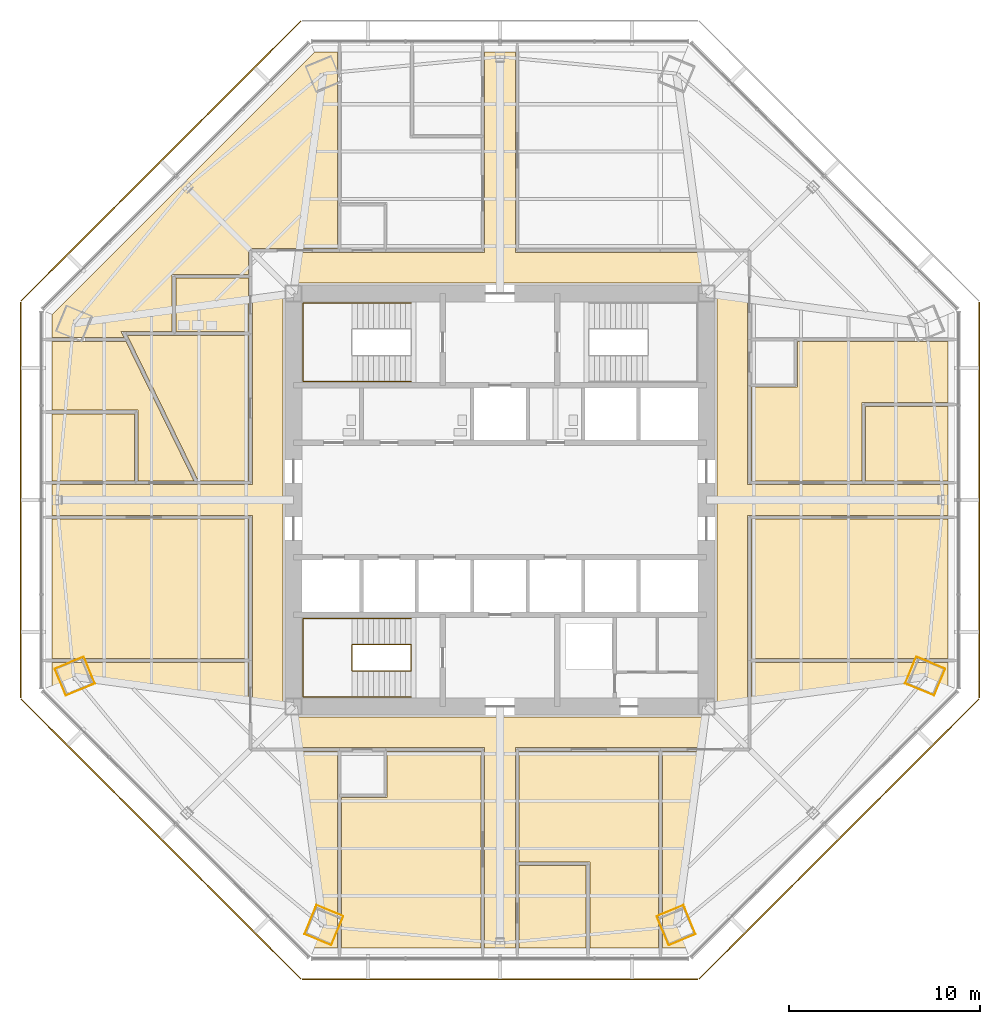
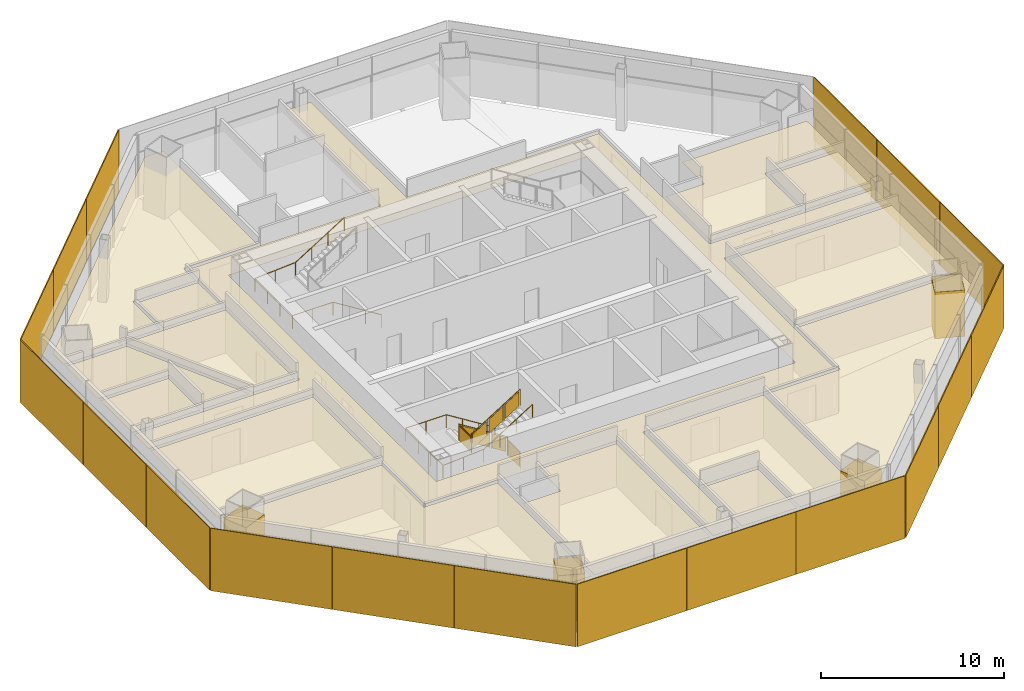
# One storey, part 12 of 14: 19 coverings, 18 shading devices, 3 railings.
"""IFC4 building model written with IfcOpenShell, lengths in metres."""

from ifc_helpers import new_model, si_unit, direction, frame, origin, origin_2d, place, context, subcontext, project, spatial, polyline, rectangle, circle, outline, extrude, source, transform, mapped, material, layer, layer_set, type_object, type_shapes, element, save


model = new_model("IFC4")

# Units and contexts
model_context = context("Model", 3, precision=1e-05, world=origin(), true_north=direction((0.0, 1.0)))
body_context = subcontext(model_context, "Body", "Model", "MODEL_VIEW")
ifc_project = project(units=[si_unit("LENGTHUNIT", "METRE"), si_unit("AREAUNIT", "SQUARE_METRE"), si_unit("VOLUMEUNIT", "CUBIC_METRE"), si_unit("PLANEANGLEUNIT", "RADIAN"), si_unit("MASSUNIT", "GRAM", prefix="KILO")], contexts=[model_context])

# Site, building, storey
site_placement = place(None, origin())
site = spatial("IfcSite", under=ifc_project, at=site_placement, CompositionType="ELEMENT")
building_placement = place(site_placement, origin())
building = spatial("IfcBuilding", under=site, at=building_placement, Name="Mashrafa Tower", CompositionType="ELEMENT")
storey_placement = place(building_placement, frame((0.0, 0.0, 142.800048828125)))
storey = spatial("IfcBuildingStorey", under=building, at=storey_placement, Name="L32", CompositionType="ELEMENT", Elevation=142.800048828125)

# Coverings
ifc_material_1 = material(Name="Gypsum board")
ifc_layer_1 = layer(ifc_material_1, 0.014892578125)
ifc_layer_set_1 = layer_set([ifc_layer_1], Name="Column casing plasterboard 15")
covering_type_1 = type_object("IfcCoveringType", Name="Column casing plasterboard 15", PredefinedType="CLADDING", material=ifc_layer_set_1)
covering_1_placement = place(storey_placement, origin())
element("IfcCovering", 1, at=covering_1_placement, inside=storey, type_object=covering_type_1, Name="Column casing L32-001", PredefinedType="CLADDING", context=body_context, shape_type="SweptSolid", body=[
    extrude(outline(polyline([(-23.296630859375, -8.82177734375), (-23.1640625, -8.766845703125), (-21.763916015625, -8.186767578125), (-21.17822265625, -9.600341796875), (-21.310791015625, -9.6552734375), (-22.711181640625, -10.2353515625), (-23.296630859375, -8.82177734375)]), holes=[polyline([(-21.316650390625, -9.641357421875), (-21.19775390625, -9.59228515625), (-21.77197265625, -8.206298828125), (-23.158203125, -8.78076171875), (-23.277099609375, -8.829833984375), (-22.703125, -10.2158203125), (-21.316650390625, -9.641357421875)])]), origin(), (0.0, 0.0, 1.0), 3.097900390625),
])
covering_2_placement = place(storey_placement, origin())
element("IfcCovering", 2, at=covering_2_placement, inside=storey, type_object=covering_type_1, Name="Column casing L32-002", PredefinedType="CLADDING", context=body_context, shape_type="SweptSolid", body=[
    extrude(outline(polyline([(-10.2353515625, -22.711181640625), (-9.6552734375, -21.310791015625), (-9.600341796875, -21.17822265625), (-8.186767578125, -21.763916015625), (-8.766845703125, -23.1640625), (-8.82177734375, -23.296630859375), (-10.2353515625, -22.711181640625)]), holes=[polyline([(-8.78076171875, -23.158203125), (-8.206298828125, -21.77197265625), (-9.59228515625, -21.19775390625), (-9.641357421875, -21.316650390625), (-10.2158203125, -22.703125), (-8.829833984375, -23.277099609375), (-8.78076171875, -23.158203125)])]), origin(), (0.0, 0.0, 1.0), 3.097900390625),
])
covering_3_placement = place(storey_placement, origin())
element("IfcCovering", 3, at=covering_3_placement, inside=storey, type_object=covering_type_1, Name="Column casing L32-003", PredefinedType="CLADDING", context=body_context, shape_type="SweptSolid", body=[
    extrude(outline(polyline([(8.766845703125, -23.1640625), (8.186767578125, -21.763916015625), (9.600341796875, -21.17822265625), (9.6552734375, -21.310791015625), (10.2353515625, -22.711181640625), (8.82177734375, -23.296630859375), (8.766845703125, -23.1640625)]), holes=[polyline([(10.2158203125, -22.703125), (9.641357421875, -21.316650390625), (9.59228515625, -21.19775390625), (8.206298828125, -21.77197265625), (8.78076171875, -23.158203125), (8.829833984375, -23.277099609375), (10.2158203125, -22.703125)])]), origin(), (0.0, 0.0, 1.0), 3.097900390625),
])
covering_4_placement = place(storey_placement, origin())
element("IfcCovering", 4, at=covering_4_placement, inside=storey, type_object=covering_type_1, Name="Column casing L32-004", PredefinedType="CLADDING", context=body_context, shape_type="SweptSolid", body=[
    extrude(outline(polyline([(21.310791015625, -9.6552734375), (21.17822265625, -9.600341796875), (21.763916015625, -8.186767578125), (23.1640625, -8.766845703125), (23.296630859375, -8.82177734375), (22.711181640625, -10.2353515625), (21.310791015625, -9.6552734375)]), holes=[polyline([(23.277099609375, -8.829833984375), (23.158203125, -8.78076171875), (21.77197265625, -8.206298828125), (21.19775390625, -9.59228515625), (21.316650390625, -9.641357421875), (22.703125, -10.2158203125), (23.277099609375, -8.829833984375)])]), origin(), (0.0, 0.0, 1.0), 3.097900390625),
])

# Railings
ifc_material_2 = material(Name="Steel guard with glass infill", Category="steel")
railing_type_1 = type_object("IfcRailingType", Name="Stair guard 1100", PredefinedType="GUARDRAIL", material=ifc_material_2)
railing_1_placement = place(storey_placement, frame((-4.64990234375, -8.949951171875, 0.0)))
element("IfcRailing", 5, at=railing_1_placement, inside=storey, type_object=railing_type_1, Name="Stair S3 guard L32", PredefinedType="GUARDRAIL", context=body_context, shape_type="SweptSolid", body=[
    extrude(circle(Radius=0.02392578125, at=origin_2d()), frame((0.0, 0.0, 1.076171875), z_axis=(0.0, 1.0, 0.0), x_axis=(-1.0, 0.0, 0.0)), (0.0, 0.0, 1.0), 1.39990234375),
    extrude(circle(Radius=0.02392578125, at=origin_2d()), frame((0.0, 1.39990234375, 1.076171875), z_axis=(0.0, 0.0, 1.0), x_axis=(1.0, 0.0, 0.0)), (0.0, 0.0, 1.0), 0.175048828125),
    extrude(circle(Radius=0.02392578125, at=origin_2d()), frame((0.0, 1.39990234375, 1.2509765625), z_axis=(-0.848028513186, 0.0, 0.529950602248), x_axis=(0.0, -1.0, 0.0)), (0.0, 0.0, 1.0), 3.632080078125),
    extrude(circle(Radius=0.02392578125, at=origin_2d()), frame((-3.080078125, 1.39990234375, 3.17578125), z_axis=(0.0, -1.0, 0.0), x_axis=(1.0, 0.0, 0.0)), (0.0, 0.0, 1.0), 1.39990234375),
    extrude(circle(Radius=0.02392578125, at=origin_2d()), frame((-3.080078125, 0.0, 3.17578125), z_axis=(0.0, 0.0, 1.0), x_axis=(1.0, 0.0, 0.0)), (0.0, 0.0, 1.0), 0.175048828125),
    extrude(circle(Radius=0.02392578125, at=origin_2d()), frame((-3.080078125, 0.0, 3.35107421875), z_axis=(0.847998304005, 0.0, 0.529998940003), x_axis=(0.0, 1.0, 0.0)), (0.0, 0.0, 1.0), 3.632080078125),
    extrude(circle(Radius=0.02099609375, at=origin_2d()), origin(), (0.0, 0.0, 1.0), 1.052001953125),
    extrude(circle(Radius=0.02099609375, at=origin_2d()), frame((0.0, 1.39990234375, 0.0)), (0.0, 0.0, 1.0), 1.052001953125),
    extrude(circle(Radius=0.02099609375, at=origin_2d()), frame((0.0, 1.39990234375, 0.175048828125)), (0.0, 0.0, 1.0), 1.052001953125),
    extrude(circle(Radius=0.02099609375, at=origin_2d()), frame((-1.026611328125, 1.39990234375, 0.816650390625)), (0.0, 0.0, 1.0), 1.052001953125),
    extrude(circle(Radius=0.02099609375, at=origin_2d()), frame((-2.053466796875, 1.39990234375, 1.458251953125)), (0.0, 0.0, 1.0), 1.052001953125),
    extrude(circle(Radius=0.02099609375, at=origin_2d()), frame((-3.080078125, 1.39990234375, 2.099853515625)), (0.0, 0.0, 1.0), 1.052001953125),
    extrude(circle(Radius=0.02099609375, at=origin_2d()), frame((-3.080078125, 0.0, 2.099853515625)), (0.0, 0.0, 1.0), 1.052001953125),
    extrude(circle(Radius=0.02099609375, at=origin_2d()), frame((-3.080078125, 0.0, 2.27490234375)), (0.0, 0.0, 1.0), 1.052001953125),
    extrude(circle(Radius=0.02099609375, at=origin_2d()), frame((-2.053466796875, 0.0, 2.91650390625)), (0.0, 0.0, 1.0), 1.052001953125),
    extrude(circle(Radius=0.02099609375, at=origin_2d()), frame((-1.026611328125, 0.0, 3.558349609375)), (0.0, 0.0, 1.0), 1.052001953125),
    extrude(circle(Radius=0.02099609375, at=origin_2d()), frame((0.0, 0.0, 4.199951171875)), (0.0, 0.0, 1.0), 1.052001953125),
    extrude(outline(polyline([(0.071044921875, 0.050048828125), (1.328857421875, 0.050048828125), (1.328857421875, 1.001953125), (0.071044921875, 1.001953125), (0.071044921875, 0.050048828125)])), frame((0.006103515625, 0.0, 0.0), z_axis=(1.0, 0.0, 0.0), x_axis=(0.0, 1.0, 0.0)), (0.0, 0.0, 1.0), 0.011962890625),
    extrude(outline(polyline([(0.071044921875, 0.094482421875), (0.955810546875, 0.647216796875), (0.955810546875, 1.59912109375), (0.071044921875, 1.04638671875), (0.071044921875, 0.094482421875)])), frame((0.0, 1.406005859375, 0.175048828125), z_axis=(0.0, 1.0, 0.0), x_axis=(-1.0, 0.0, 0.0)), (0.0, 0.0, 1.0), 0.011962890625),
    extrude(outline(polyline([(1.09765625, 0.736083984375), (1.982421875, 1.288818359375), (1.982421875, 2.24072265625), (1.09765625, 1.68798828125), (1.09765625, 0.736083984375)])), frame((0.0, 1.406005859375, 0.175048828125), z_axis=(0.0, 1.0, 0.0), x_axis=(-1.0, 0.0, 0.0)), (0.0, 0.0, 1.0), 0.011962890625),
    extrude(outline(polyline([(2.124267578125, 1.377685546875), (3.009033203125, 1.930419921875), (3.009033203125, 2.88232421875), (2.124267578125, 2.32958984375), (2.124267578125, 1.377685546875)])), frame((0.0, 1.406005859375, 0.175048828125), z_axis=(0.0, 1.0, 0.0), x_axis=(-1.0, 0.0, 0.0)), (0.0, 0.0, 1.0), 0.011962890625),
    extrude(outline(polyline([(0.071044921875, 0.050048828125), (1.328857421875, 0.050048828125), (1.328857421875, 1.001953125), (0.071044921875, 1.001953125), (0.071044921875, 0.050048828125)])), frame((-3.086181640625, 1.39990234375, 2.099853515625), z_axis=(-1.0, 0.0, 0.0), x_axis=(0.0, -1.0, 0.0)), (0.0, 0.0, 1.0), 0.011962890625),
    extrude(outline(polyline([(0.071044921875, 0.094482421875), (0.955810546875, 0.647216796875), (0.955810546875, 1.599365234375), (0.071044921875, 1.04638671875), (0.071044921875, 0.094482421875)])), frame((-3.080078125, -0.006103515625, 2.27490234375), z_axis=(0.0, -1.0, 0.0), x_axis=(1.0, 0.0, 0.0)), (0.0, 0.0, 1.0), 0.011962890625),
    extrude(outline(polyline([(1.09765625, 0.736083984375), (1.982421875, 1.2890625), (1.982421875, 2.240966796875), (1.09765625, 1.68798828125), (1.09765625, 0.736083984375)])), frame((-3.080078125, -0.006103515625, 2.27490234375), z_axis=(0.0, -1.0, 0.0), x_axis=(1.0, 0.0, 0.0)), (0.0, 0.0, 1.0), 0.011962890625),
    extrude(outline(polyline([(2.124267578125, 1.377685546875), (3.009033203125, 1.9306640625), (3.009033203125, 2.882568359375), (2.124267578125, 2.329833984375), (2.124267578125, 1.377685546875)])), frame((-3.080078125, -0.006103515625, 2.27490234375), z_axis=(0.0, -1.0, 0.0), x_axis=(1.0, 0.0, 0.0)), (0.0, 0.0, 1.0), 0.011962890625),
])
ifc_material_3 = material(Name="Steel", Category="steel")
railing_type_2 = type_object("IfcRailingType", Name="Stair handrail 900", PredefinedType="HANDRAIL", material=ifc_material_3)
railing_2_placement = place(storey_placement, frame((-4.64990234375, 6.199951171875, 0.175048828125)))
element("IfcRailing", 6, at=railing_2_placement, inside=storey, type_object=railing_type_2, Name="Stair S1 handrail L32", PredefinedType="HANDRAIL", context=body_context, shape_type="SweptSolid", body=[
    extrude(circle(Radius=0.02392578125, at=origin_2d()), frame((0.0, 0.0, 0.8759765625), z_axis=(-0.848028513186, 0.0, 0.529950602248), x_axis=(0.0, -1.0, 0.0)), (0.0, 0.0, 1.0), 3.632080078125),
    extrude(circle(Radius=0.02392578125, at=origin_2d()), frame((-3.080078125, 0.0, 2.80078125), z_axis=(-1.0, 0.0, 0.0), x_axis=(0.0, -1.0, 0.0)), (0.0, 0.0, 1.0), 2.570068359375),
    extrude(circle(Radius=0.02392578125, at=origin_2d()), frame((-5.650146484375, 0.0, 2.80078125), z_axis=(0.0, 1.0, 0.0), x_axis=(-1.0, 0.0, 0.0)), (0.0, 0.0, 1.0), 4.10009765625),
    extrude(circle(Radius=0.02392578125, at=origin_2d()), frame((-5.650146484375, 4.10009765625, 2.80078125), z_axis=(0.997688514158, 0.0, 0.067953136188), x_axis=(0.0, 1.0, 0.0)), (0.0, 0.0, 1.0), 2.575927734375),
    extrude(circle(Radius=0.02392578125, at=origin_2d()), frame((-3.080078125, 4.10009765625, 2.9755859375), z_axis=(0.847998304005, 0.0, 0.529998940003), x_axis=(0.0, 1.0, 0.0)), (0.0, 0.0, 1.0), 3.632080078125),
    extrude(circle(Radius=0.02099609375, at=origin_2d()), origin(), (0.0, 0.0, 1.0), 0.851806640625),
    extrude(circle(Radius=0.02099609375, at=origin_2d()), frame((-1.026611328125, 0.0, 0.6416015625)), (0.0, 0.0, 1.0), 0.851806640625),
    extrude(circle(Radius=0.02099609375, at=origin_2d()), frame((-2.053466796875, 0.0, 1.283203125)), (0.0, 0.0, 1.0), 0.851806640625),
    extrude(circle(Radius=0.02099609375, at=origin_2d()), frame((-3.080078125, 0.0, 1.9248046875)), (0.0, 0.0, 1.0), 0.851806640625),
    extrude(circle(Radius=0.02099609375, at=origin_2d()), frame((-4.365234375, 0.0, 1.9248046875)), (0.0, 0.0, 1.0), 0.851806640625),
    extrude(circle(Radius=0.02099609375, at=origin_2d()), frame((-5.650146484375, 0.0, 1.9248046875)), (0.0, 0.0, 1.0), 0.851806640625),
    extrude(circle(Radius=0.02099609375, at=origin_2d()), frame((-5.650146484375, 1.36669921875, 1.9248046875)), (0.0, 0.0, 1.0), 0.851806640625),
    extrude(circle(Radius=0.02099609375, at=origin_2d()), frame((-5.650146484375, 2.7333984375, 1.9248046875)), (0.0, 0.0, 1.0), 0.851806640625),
    extrude(circle(Radius=0.02099609375, at=origin_2d()), frame((-5.650146484375, 4.10009765625, 1.9248046875)), (0.0, 0.0, 1.0), 0.851806640625),
    extrude(circle(Radius=0.02099609375, at=origin_2d()), frame((-4.365234375, 4.10009765625, 2.01220703125)), (0.0, 0.0, 1.0), 0.851806640625),
    extrude(circle(Radius=0.02099609375, at=origin_2d()), frame((-3.080078125, 4.10009765625, 2.099853515625)), (0.0, 0.0, 1.0), 0.851806640625),
    extrude(circle(Radius=0.02099609375, at=origin_2d()), frame((-2.053466796875, 4.10009765625, 2.741455078125)), (0.0, 0.0, 1.0), 0.851806640625),
    extrude(circle(Radius=0.02099609375, at=origin_2d()), frame((-1.026611328125, 4.10009765625, 3.38330078125)), (0.0, 0.0, 1.0), 0.851806640625),
    extrude(circle(Radius=0.02099609375, at=origin_2d()), frame((0.0, 4.10009765625, 4.02490234375)), (0.0, 0.0, 1.0), 0.851806640625),
])
railing_3_placement = place(storey_placement, frame((-4.64990234375, -6.199951171875, 0.175048828125)))
element("IfcRailing", 7, at=railing_3_placement, inside=storey, type_object=railing_type_2, Name="Stair S3 handrail L32", PredefinedType="HANDRAIL", context=body_context, shape_type="SweptSolid", body=[
    extrude(circle(Radius=0.02392578125, at=origin_2d()), frame((0.0, 0.0, 0.8759765625), z_axis=(-0.848028513186, 0.0, 0.529950602248), x_axis=(0.0, -1.0, 0.0)), (0.0, 0.0, 1.0), 3.632080078125),
    extrude(circle(Radius=0.02392578125, at=origin_2d()), frame((-3.080078125, 0.0, 2.80078125), z_axis=(-1.0, 0.0, 0.0), x_axis=(0.0, -1.0, 0.0)), (0.0, 0.0, 1.0), 2.570068359375),
    extrude(circle(Radius=0.02392578125, at=origin_2d()), frame((-5.650146484375, 0.0, 2.80078125), z_axis=(0.0, -1.0, 0.0), x_axis=(1.0, 0.0, 0.0)), (0.0, 0.0, 1.0), 4.10009765625),
    extrude(circle(Radius=0.02392578125, at=origin_2d()), frame((-5.650146484375, -4.10009765625, 2.80078125), z_axis=(0.997688514158, 0.0, 0.067953136188), x_axis=(0.0, 1.0, 0.0)), (0.0, 0.0, 1.0), 2.575927734375),
    extrude(circle(Radius=0.02392578125, at=origin_2d()), frame((-3.080078125, -4.10009765625, 2.9755859375), z_axis=(0.847998304005, 0.0, 0.529998940003), x_axis=(0.0, 1.0, 0.0)), (0.0, 0.0, 1.0), 3.632080078125),
    extrude(circle(Radius=0.02099609375, at=origin_2d()), origin(), (0.0, 0.0, 1.0), 0.851806640625),
    extrude(circle(Radius=0.02099609375, at=origin_2d()), frame((-1.026611328125, 0.0, 0.6416015625)), (0.0, 0.0, 1.0), 0.851806640625),
    extrude(circle(Radius=0.02099609375, at=origin_2d()), frame((-2.053466796875, 0.0, 1.283203125)), (0.0, 0.0, 1.0), 0.851806640625),
    extrude(circle(Radius=0.02099609375, at=origin_2d()), frame((-3.080078125, 0.0, 1.9248046875)), (0.0, 0.0, 1.0), 0.851806640625),
    extrude(circle(Radius=0.02099609375, at=origin_2d()), frame((-4.365234375, 0.0, 1.9248046875)), (0.0, 0.0, 1.0), 0.851806640625),
    extrude(circle(Radius=0.02099609375, at=origin_2d()), frame((-5.650146484375, 0.0, 1.9248046875)), (0.0, 0.0, 1.0), 0.851806640625),
    extrude(circle(Radius=0.02099609375, at=origin_2d()), frame((-5.650146484375, -1.36669921875, 1.9248046875)), (0.0, 0.0, 1.0), 0.851806640625),
    extrude(circle(Radius=0.02099609375, at=origin_2d()), frame((-5.650146484375, -2.7333984375, 1.9248046875)), (0.0, 0.0, 1.0), 0.851806640625),
    extrude(circle(Radius=0.02099609375, at=origin_2d()), frame((-5.650146484375, -4.10009765625, 1.9248046875)), (0.0, 0.0, 1.0), 0.851806640625),
    extrude(circle(Radius=0.02099609375, at=origin_2d()), frame((-4.365234375, -4.10009765625, 2.01220703125)), (0.0, 0.0, 1.0), 0.851806640625),
    extrude(circle(Radius=0.02099609375, at=origin_2d()), frame((-3.080078125, -4.10009765625, 2.099853515625)), (0.0, 0.0, 1.0), 0.851806640625),
    extrude(circle(Radius=0.02099609375, at=origin_2d()), frame((-2.053466796875, -4.10009765625, 2.741455078125)), (0.0, 0.0, 1.0), 0.851806640625),
    extrude(circle(Radius=0.02099609375, at=origin_2d()), frame((-1.026611328125, -4.10009765625, 3.38330078125)), (0.0, 0.0, 1.0), 0.851806640625),
    extrude(circle(Radius=0.02099609375, at=origin_2d()), frame((0.0, -4.10009765625, 4.02490234375)), (0.0, 0.0, 1.0), 0.851806640625),
])

# Coverings
ifc_material_4 = material(Name="Mineral fibre tile on suspension grid")
ifc_layer_2 = layer(ifc_material_4, 0.014892578125)
ifc_layer_set_2 = layer_set([ifc_layer_2], Name="Suspended ceiling mineral tile 15")
covering_type_2 = type_object("IfcCoveringType", Name="Suspended ceiling mineral tile 15", PredefinedType="CEILING", material=ifc_layer_set_2)
covering_5_placement = place(storey_placement, frame((0.0, 0.0, 2.89990234375)))
element("IfcCovering", 8, at=covering_5_placement, inside=storey, type_object=covering_type_2, Name="Ceiling Office Corridor L32", PredefinedType="CEILING", context=body_context, shape_type="SweptSolid", body=[
    extrude(outline(polyline([(-12.949951171875, -12.949951171875), (-12.949951171875, -0.800048828125), (-23.425048828125, -0.800048828125), (-23.425048828125, 0.800048828125), (-12.949951171875, 0.800048828125), (-12.949951171875, 12.949951171875), (-0.800048828125, 12.949951171875), (-0.800048828125, 23.425048828125), (0.800048828125, 23.425048828125), (0.800048828125, 12.949951171875), (12.949951171875, 12.949951171875), (12.949951171875, 0.800048828125), (23.425048828125, 0.800048828125), (23.425048828125, -0.800048828125), (12.949951171875, -0.800048828125), (12.949951171875, -12.949951171875), (0.800048828125, -12.949951171875), (0.800048828125, -23.425048828125), (-0.800048828125, -23.425048828125), (-0.800048828125, -12.949951171875), (-12.949951171875, -12.949951171875)]), holes=[polyline([(11.35009765625, 11.35009765625), (-11.35009765625, 11.35009765625), (-11.35009765625, -11.35009765625), (11.35009765625, -11.35009765625), (11.35009765625, 11.35009765625)])]), origin(), (0.0, 0.0, 1.0), 0.01513671875),
])
covering_6_placement = place(storey_placement, frame((0.0, 0.0, 2.89990234375)))
element("IfcCovering", 9, at=covering_6_placement, inside=storey, type_object=covering_type_2, Name="Ceiling Musallah Prayer Room 32", PredefinedType="CEILING", context=body_context, shape_type="SweptSolid", body=[
    extrude(outline(polyline([(-15.783203125, 1.0), (-19.489990234375, 8.60009765625), (-13.14990234375, 8.60009765625), (-13.14990234375, 1.0), (-15.783203125, 1.0)])), origin(), (0.0, 0.0, 1.0), 0.01513671875),
])
covering_7_placement = place(storey_placement, frame((0.0, 0.0, 2.89990234375)))
element("IfcCovering", 10, at=covering_7_placement, inside=storey, type_object=covering_type_2, Name="Ceiling Ablution Room L32", PredefinedType="CEILING", context=body_context, shape_type="SweptSolid", body=[
    extrude(outline(polyline([(-16.949951171875, 8.800048828125), (-16.949951171875, 11.60009765625), (-13.14990234375, 11.60009765625), (-13.14990234375, 8.800048828125), (-16.949951171875, 8.800048828125)])), origin(), (0.0, 0.0, 1.0), 0.01513671875),
])
covering_8_placement = place(storey_placement, frame((0.0, 0.0, 2.89990234375)))
element("IfcCovering", 11, at=covering_8_placement, inside=storey, type_object=covering_type_2, Name="Ceiling Meeting Room 32-E", PredefinedType="CEILING", context=body_context, shape_type="SweptSolid", body=[
    extrude(outline(polyline([(19.125, 4.89990234375), (23.425048828125, 4.89990234375), (23.425048828125, 1.0), (19.125, 1.0), (19.125, 4.89990234375)])), origin(), (0.0, 0.0, 1.0), 0.01513671875),
])
covering_9_placement = place(storey_placement, frame((0.0, 0.0, 2.89990234375)))
element("IfcCovering", 12, at=covering_9_placement, inside=storey, type_object=covering_type_2, Name="Ceiling Meeting Room 32-S", PredefinedType="CEILING", context=body_context, shape_type="SweptSolid", body=[
    extrude(outline(polyline([(1.0, -19.125), (4.5, -19.125), (4.5, -23.425048828125), (1.0, -23.425048828125), (1.0, -19.125)])), origin(), (0.0, 0.0, 1.0), 0.01513671875),
])
covering_10_placement = place(storey_placement, frame((0.0, 0.0, 2.89990234375)))
element("IfcCovering", 13, at=covering_10_placement, inside=storey, type_object=covering_type_2, Name="Ceiling Meeting Room 32-W", PredefinedType="CEILING", context=body_context, shape_type="SweptSolid", body=[
    extrude(outline(polyline([(-19.125, 4.5), (-19.125, 1.0), (-23.425048828125, 1.0), (-23.425048828125, 4.5), (-19.125, 4.5)])), origin(), (0.0, 0.0, 1.0), 0.01513671875),
])
covering_11_placement = place(storey_placement, frame((0.0, 0.0, 2.89990234375)))
element("IfcCovering", 14, at=covering_11_placement, inside=storey, type_object=covering_type_2, Name="Ceiling Office Suite 32-NE21", PredefinedType="CEILING", context=body_context, shape_type="SweptSolid", body=[
    extrude(outline(polyline([(15.550048828125, 8.300048828125), (23.425048828125, 8.300048828125), (23.425048828125, 5.10009765625), (18.925048828125, 5.10009765625), (18.925048828125, 1.0), (13.14990234375, 1.0), (13.14990234375, 5.89990234375), (15.550048828125, 5.89990234375), (15.550048828125, 8.300048828125)])), origin(), (0.0, 0.0, 1.0), 0.01513671875),
])
covering_12_placement = place(storey_placement, frame((0.0, 0.0, 2.89990234375)))
element("IfcCovering", 15, at=covering_12_placement, inside=storey, type_object=covering_type_2, Name="Ceiling Office Suite 32-NW21", PredefinedType="CEILING", context=body_context, shape_type="SweptSolid", body=[
    extrude(outline(polyline([(-23.425048828125, 4.699951171875), (-23.425048828125, 8.300048828125), (-19.566162109375, 8.300048828125), (-16.005615234375, 1.0), (-18.925048828125, 1.0), (-18.925048828125, 4.699951171875), (-23.425048828125, 4.699951171875)])), origin(), (0.0, 0.0, 1.0), 0.01513671875),
])
covering_13_placement = place(storey_placement, frame((0.0, 0.0, 2.89990234375)))
element("IfcCovering", 16, at=covering_13_placement, inside=storey, type_object=covering_type_2, Name="Ceiling Office Suite 32-NW22", PredefinedType="CEILING", context=body_context, shape_type="SweptSolid", body=[
    extrude(outline(polyline([(-19.663818359375, 8.5), (-23.425048828125, 8.5), (-23.425048828125, 9.702880859375), (-9.702880859375, 23.425048828125), (-8.5, 23.425048828125), (-8.5, 13.14990234375), (-13.14990234375, 13.14990234375), (-13.14990234375, 11.800048828125), (-17.14990234375, 11.800048828125), (-17.14990234375, 8.800048828125), (-19.81005859375, 8.800048828125), (-19.663818359375, 8.5)])), origin(), (0.0, 0.0, 1.0), 0.01513671875),
])
covering_14_placement = place(storey_placement, frame((0.0, 0.0, 2.89990234375)))
element("IfcCovering", 17, at=covering_14_placement, inside=storey, type_object=covering_type_2, Name="Ceiling Office Suite 32-SW12", PredefinedType="CEILING", context=body_context, shape_type="SweptSolid", body=[
    extrude(outline(polyline([(-1.0, -23.425048828125), (-8.300048828125, -23.425048828125), (-8.300048828125, -15.550048828125), (-5.89990234375, -15.550048828125), (-5.89990234375, -13.14990234375), (-1.0, -13.14990234375), (-1.0, -23.425048828125)])), origin(), (0.0, 0.0, 1.0), 0.01513671875),
])
covering_15_placement = place(storey_placement, frame((0.0, 0.0, 2.89990234375)))
element("IfcCovering", 18, at=covering_15_placement, inside=storey, type_object=covering_type_2, Name="Ceiling Office Suite 32-SW21", PredefinedType="CEILING", context=body_context, shape_type="SweptSolid", body=[
    extrude(outline(polyline([(-13.14990234375, -8.300048828125), (-23.425048828125, -8.300048828125), (-23.425048828125, -1.0), (-13.14990234375, -1.0), (-13.14990234375, -8.300048828125)])), origin(), (0.0, 0.0, 1.0), 0.01513671875),
])
covering_16_placement = place(storey_placement, frame((0.0, 0.0, 2.89990234375)))
element("IfcCovering", 19, at=covering_16_placement, inside=storey, type_object=covering_type_2, Name="Ceiling Office Suite 32-SW22", PredefinedType="CEILING", context=body_context, shape_type="SweptSolid", body=[
    extrude(outline(polyline([(-13.14990234375, -13.14990234375), (-8.5, -13.14990234375), (-8.5, -23.425048828125), (-9.702880859375, -23.425048828125), (-23.425048828125, -9.702880859375), (-23.425048828125, -8.5), (-13.14990234375, -8.5), (-13.14990234375, -13.14990234375)])), origin(), (0.0, 0.0, 1.0), 0.01513671875),
])
covering_17_placement = place(storey_placement, frame((0.0, 0.0, 2.89990234375)))
element("IfcCovering", 20, at=covering_17_placement, inside=storey, type_object=covering_type_2, Name="Ceiling Office Suite 32-SE12", PredefinedType="CEILING", context=body_context, shape_type="SweptSolid", body=[
    extrude(outline(polyline([(8.300048828125, -13.14990234375), (8.300048828125, -23.425048828125), (4.699951171875, -23.425048828125), (4.699951171875, -18.925048828125), (1.0, -18.925048828125), (1.0, -13.14990234375), (8.300048828125, -13.14990234375)])), origin(), (0.0, 0.0, 1.0), 0.01513671875),
])
covering_18_placement = place(storey_placement, frame((0.0, 0.0, 2.89990234375)))
element("IfcCovering", 21, at=covering_18_placement, inside=storey, type_object=covering_type_2, Name="Ceiling Office Suite 32-SE21", PredefinedType="CEILING", context=body_context, shape_type="SweptSolid", body=[
    extrude(outline(polyline([(23.425048828125, -1.0), (23.425048828125, -8.300048828125), (13.14990234375, -8.300048828125), (13.14990234375, -1.0), (23.425048828125, -1.0)])), origin(), (0.0, 0.0, 1.0), 0.01513671875),
])
covering_19_placement = place(storey_placement, frame((0.0, 0.0, 2.89990234375)))
element("IfcCovering", 22, at=covering_19_placement, inside=storey, type_object=covering_type_2, Name="Ceiling Office Suite 32-SE22", PredefinedType="CEILING", context=body_context, shape_type="SweptSolid", body=[
    extrude(outline(polyline([(13.14990234375, -8.5), (23.425048828125, -8.5), (23.425048828125, -9.702880859375), (9.702880859375, -23.425048828125), (8.5, -23.425048828125), (8.5, -13.14990234375), (13.14990234375, -13.14990234375), (13.14990234375, -8.5)])), origin(), (0.0, 0.0, 1.0), 0.01513671875),
])

# Shading devices
ifc_material_5 = material(Name="Perforated aluminium plate, eight-point star pattern", Category="aluminium")
ifc_layer_3 = layer(ifc_material_5, 0.06005859375)
ifc_layer_set_3 = layer_set([ifc_layer_3], Name="Mashrabiya screen panel office zone 2, 40 percent open")
shading_device_type = type_object("IfcShadingDeviceType", Name="Mashrabiya screen panel office zone 2, 40 percent open", PredefinedType="SHUTTER", material=ifc_layer_set_3)
shared_shape = source(origin(), body_context, "Body", "SweptSolid", [
    extrude(rectangle(XDim=6.889404296875, YDim=0.06005859375, at=origin_2d()), origin(), (0.0, 0.0, 1.0), 4.179931640625),
])
type_shapes(shading_device_type, [shared_shape])
for number, where, z_axis, x_axis, name in (
    (23, (25.0751953125, -6.909423828125, -0.14990234375), (0.0, 0.0, 1.0), (0.0, 1.0, 0.0), "Mashrabiya screen L32 east 1"),
    (24, (25.0751953125, 0.0, -0.14990234375), (0.0, 0.0, 1.0), (0.0, 1.0, 0.0), "Mashrabiya screen L32 east 2"),
    (25, (25.0751953125, 6.909423828125, -0.14990234375), (0.0, 0.0, 1.0), (0.0, 1.0, 0.0), "Mashrabiya screen L32 east 3"),
    (26, (-12.84521484375, 22.616455078125, -0.14990234375), (0.0, 0.0, 1.0), (-0.707106781187, -0.707106781187, 0.0), "Mashrabiya screen L32 north-west 1"),
    (27, (-17.730712890625, 17.730712890625, -0.14990234375), (0.0, 0.0, 1.0), (-0.707106781187, -0.707106781187, 0.0), "Mashrabiya screen L32 north-west 2"),
    (28, (-22.616455078125, 12.84521484375, -0.14990234375), (0.0, 0.0, 1.0), (-0.707106781187, -0.707106781187, 0.0), "Mashrabiya screen L32 north-west 3"),
    (29, (-25.0751953125, 6.909423828125, -0.14990234375), (0.0, 0.0, 1.0), (0.0, -1.0, 0.0), "Mashrabiya screen L32 west 1"),
    (30, (-25.0751953125, 0.0, -0.14990234375), (0.0, 0.0, 1.0), (0.0, -1.0, 0.0), "Mashrabiya screen L32 west 2"),
    (31, (-25.0751953125, -6.909423828125, -0.14990234375), (0.0, 0.0, 1.0), (0.0, -1.0, 0.0), "Mashrabiya screen L32 west 3"),
    (32, (-22.616455078125, -12.84521484375, -0.14990234375), (0.0, 0.0, 1.0), (0.707106781187, -0.707106781187, 0.0), "Mashrabiya screen L32 south-west 1"),
    (33, (-17.730712890625, -17.730712890625, -0.14990234375), (0.0, 0.0, 1.0), (0.707106781187, -0.707106781187, 0.0), "Mashrabiya screen L32 south-west 2"),
    (34, (-12.84521484375, -22.616455078125, -0.14990234375), (0.0, 0.0, 1.0), (0.707106781187, -0.707106781187, 0.0), "Mashrabiya screen L32 south-west 3"),
    (35, (-6.909423828125, -25.0751953125, -0.14990234375), (0.0, 0.0, 1.0), (1.0, 0.0, 0.0), "Mashrabiya screen L32 south 1"),
    (36, (0.0, -25.0751953125, -0.14990234375), (0.0, 0.0, 1.0), (1.0, 0.0, 0.0), "Mashrabiya screen L32 south 2"),
    (37, (6.909423828125, -25.0751953125, -0.14990234375), (0.0, 0.0, 1.0), (1.0, 0.0, 0.0), "Mashrabiya screen L32 south 3"),
    (38, (12.84521484375, -22.616455078125, -0.14990234375), (0.0, 0.0, 1.0), (0.707106781187, 0.707106781187, 0.0), "Mashrabiya screen L32 south-east 1"),
    (39, (17.730712890625, -17.730712890625, -0.14990234375), (0.0, 0.0, 1.0), (0.707106781187, 0.707106781187, 0.0), "Mashrabiya screen L32 south-east 2"),
    (40, (22.616455078125, -12.84521484375, -0.14990234375), (0.0, 0.0, 1.0), (0.707106781187, 0.707106781187, 0.0), "Mashrabiya screen L32 south-east 3"),
):
    element("IfcShadingDevice", number, at=place(storey_placement, frame(where, z_axis=z_axis, x_axis=x_axis)), inside=storey, type_object=shading_device_type, Name=name, PredefinedType="SHUTTER", context=body_context, shape_type="MappedRepresentation", body=[
        mapped(shared_shape, transform((0.0, 0.0, 0.0))),
    ])

save(model, "model.ifc")
